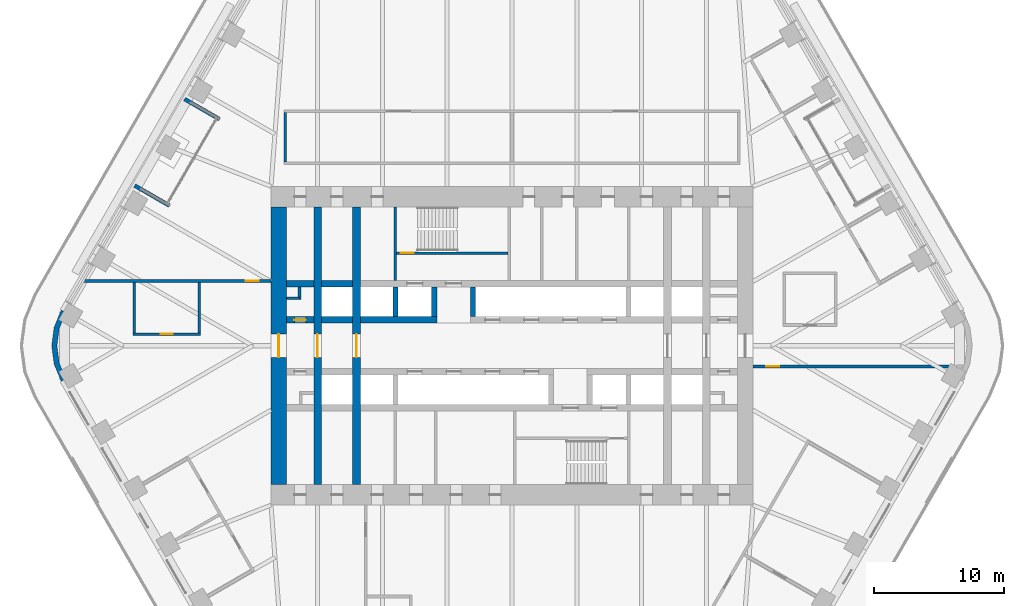
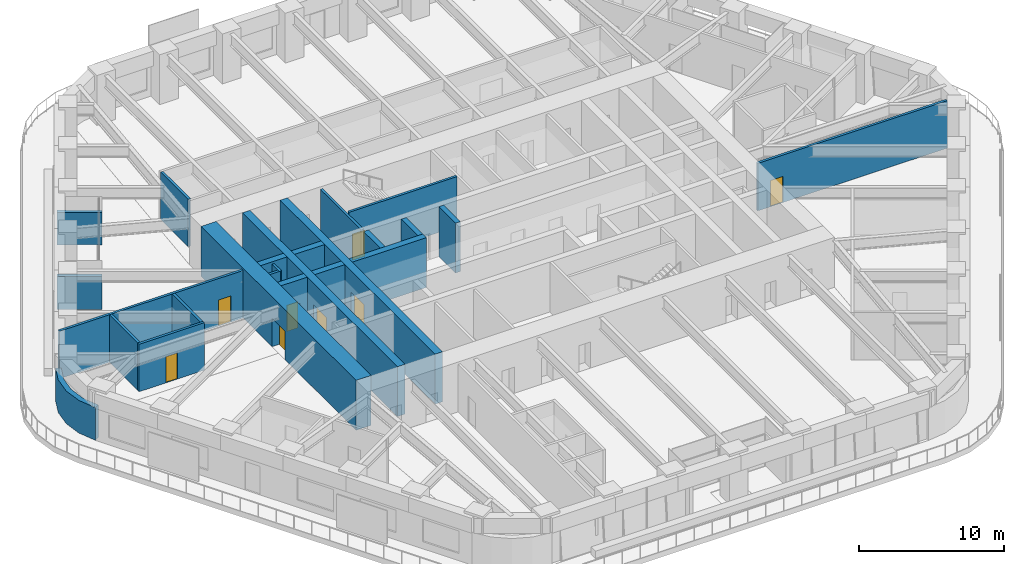
# One storey, part 19 of 24: 24 walls, 8 doors, 8 openings.
"""IFC4 building model written with IfcOpenShell, lengths in metres."""

from ifc_helpers import new_model, si_unit, direction, frame, frame_2d, origin, place, context, subcontext, project, spatial, polyline, rectangle, outline, extrude, material, layer, layer_set, type_object, element, fill, save


model = new_model("IFC4")

# Units and contexts
model_context = context("Model", 3, precision=1e-05, world=origin(), true_north=direction((0.0, 1.0)))
body_context = subcontext(model_context, "Body", "Model", "MODEL_VIEW")
ifc_project = project(units=[si_unit("LENGTHUNIT", "METRE"), si_unit("AREAUNIT", "SQUARE_METRE"), si_unit("VOLUMEUNIT", "CUBIC_METRE"), si_unit("PLANEANGLEUNIT", "RADIAN"), si_unit("MASSUNIT", "GRAM", prefix="KILO")], contexts=[model_context])

# Site, building, storey
site_placement = place(None, origin())
site = spatial("IfcSite", under=ifc_project, at=site_placement, CompositionType="ELEMENT")
building_placement = place(site_placement, origin())
building = spatial("IfcBuilding", under=site, at=building_placement, Name="Tarfa Lantern Tower", CompositionType="ELEMENT")
storey_placement = place(building_placement, frame((0.0, 0.0, 190.89990234375)))
storey = spatial("IfcBuildingStorey", under=building, at=storey_placement, Name="L43", CompositionType="ELEMENT", Elevation=190.89990234375)

# Walls
ifc_material_1 = material(Name="Limestone cladding on blockwork", Category="masonry")
ifc_layer_1 = layer(ifc_material_1, 0.300048828125)
ifc_layer_set_1 = layer_set([ifc_layer_1], Name="EW1 STONE-CLAD WALL 300")
wall_type_1 = type_object("IfcWallType", Name="EW1 STONE-CLAD WALL 300", PredefinedType="SOLIDWALL", material=ifc_layer_set_1)
wall_1_placement = place(storey_placement, frame((-25.266357421875, 19.037353515625, 0.0), z_axis=(0.0, 0.0, 1.0), x_axis=(0.86600983753, -0.500026960575, 0.0)))
element("IfcWall", 1, at=wall_1_placement, inside=storey, type_object=wall_type_1, Name="Loggia return NW 1", PredefinedType="SOLIDWALL", context=body_context, shape_type="SweptSolid", body=[
    extrude(rectangle(XDim=3.099853515625, YDim=0.300048828125, at=frame_2d((1.5498046875, 0.0))), origin(), (0.0, 0.0, 1.0), 2.75),
])
wall_2_placement = place(storey_placement, frame((-29.1201171875, 12.362548828125, 0.0), z_axis=(0.0, 0.0, 1.0), x_axis=(0.86602952684, -0.49999285859, 0.0)))
element("IfcWall", 2, at=wall_2_placement, inside=storey, type_object=wall_type_1, Name="Loggia return NW 2", PredefinedType="SOLIDWALL", context=body_context, shape_type="SweptSolid", body=[
    extrude(rectangle(XDim=3.10009765625, YDim=0.300048828125, at=frame_2d((1.550048828125, 0.0))), origin(), (0.0, 0.0, 1.0), 2.75),
])
ifc_layer_2 = layer(ifc_material_1, 0.39990234375)
ifc_layer_set_2 = layer_set([ifc_layer_2], Name="EW2 CURVED STONE CORNER 400")
wall_type_2 = type_object("IfcWallType", Name="EW2 CURVED STONE CORNER 400", PredefinedType="SOLIDWALL", material=ifc_layer_set_2)
wall_3_placement = place(storey_placement, origin())
element("IfcWall", 3, at=wall_3_placement, inside=storey, type_object=wall_type_2, Name="Stone corner NW-SW", PredefinedType="SOLIDWALL", context=body_context, shape_type="SweptSolid", body=[
    extrude(outline(polyline([(-34.785400390625, 2.75), (-35.334716796875, 1.423583984375), (-35.522216796875, 0.0), (-35.334716796875, -1.423583984375), (-34.785400390625, -2.75), (-34.43896484375, -2.550048828125), (-34.948486328125, -1.320068359375), (-35.122314453125, 0.0), (-34.948486328125, 1.320068359375), (-34.43896484375, 2.550048828125), (-34.785400390625, 2.75)])), origin(), (0.0, 0.0, 1.0), 2.75),
])
ifc_material_2 = material(Name="Concrete blockwork", Category="masonry")
ifc_layer_3 = layer(ifc_material_2, 0.199951171875)
ifc_layer_set_3 = layer_set([ifc_layer_3], Name="IW1 BLOCKWORK PARTITION 200 EI 120")
wall_type_3 = type_object("IfcWallType", Name="IW1 BLOCKWORK PARTITION 200 EI 120", PredefinedType="PARTITIONING", material=ifc_layer_set_3)
wall_4_placement = place(storey_placement, frame((-9.0, 5.050048828125, 0.0), z_axis=(0.0, 0.0, 1.0), x_axis=(0.0, 1.0, 0.0)))
element("IfcWall", 4, at=wall_4_placement, inside=storey, type_object=wall_type_3, Name="Core partition", PredefinedType="PARTITIONING", context=body_context, shape_type="SweptSolid", body=[
    extrude(rectangle(XDim=5.64990234375, YDim=0.199951171875, at=frame_2d((2.824951171875, 0.0))), origin(), (0.0, 0.0, 1.0), 4.0),
])
for number, where, z_axis, x_axis, name in (
    (5, (-17.39990234375, 3.64990234375, 0.0), (0.0, 0.0, 1.0), (1.0, 0.0, 0.0), "Core partition"),
    (6, (-16.39990234375, 3.550048828125, 0.0), (0.0, 0.0, 1.0), (0.0, 1.0, 0.0), "Core partition"),
):
    element("IfcWall", number, at=place(storey_placement, frame(where, z_axis=z_axis, x_axis=x_axis)), inside=storey, type_object=wall_type_3, Name=name, PredefinedType="PARTITIONING", context=body_context, shape_type="SweptSolid", body=[
        extrude(rectangle(XDim=1.0, YDim=0.199951171875, at=frame_2d((0.5, 0.0))), origin(), (0.0, 0.0, 1.0), 4.0),
    ])
ifc_material_3 = material(Name="Gypsum board on steel studs", Category="steel")
ifc_layer_4 = layer(ifc_material_3, 0.2099609375)
ifc_layer_set_4 = layer_set([ifc_layer_4], Name="IW2 ACOUSTIC PARTITION 200")
wall_type_4 = type_object("IfcWallType", Name="IW2 ACOUSTIC PARTITION 200", PredefinedType="PARTITIONING", material=ifc_layer_set_4)
wall_5_placement = place(storey_placement, frame((-17.5, 14.199951171875, 0.0), z_axis=(0.0, 0.0, 1.0), x_axis=(0.0, 1.0, 0.0)))
element("IfcWall", 7, at=wall_5_placement, inside=storey, type_object=wall_type_4, Name="Partition", PredefinedType="PARTITIONING", context=body_context, shape_type="SweptSolid", body=[
    extrude(rectangle(XDim=3.800048828125, YDim=0.199951171875, at=frame_2d((1.89990234375, 0.0))), origin(), (0.0, 0.0, 1.0), 4.0),
])

# Wall, opening, door
wall_6_placement = place(storey_placement, frame((18.60009765625, -1.60009765625, 0.0), z_axis=(0.0, 0.0, 1.0), x_axis=(1.0, 0.0, 0.0)))
wall_6 = element("IfcWall", 8, at=wall_6_placement, inside=storey, type_object=wall_type_4, Name="Partition", PredefinedType="PARTITIONING", context=body_context, shape_type="SweptSolid", body=[
    extrude(rectangle(XDim=15.1171875, YDim=0.199951171875, at=frame_2d((7.55859375, 0.0))), origin(), (0.0, 0.0, 1.0), 4.0),
])
opening_1_placement = place(wall_6_placement, frame((1.01171875, 0.0, 0.0)))
opening_1 = element("IfcOpeningElement", 9, at=opening_1_placement, cuts=wall_6, Name="Opening D47", PredefinedType="OPENING", context=body_context, shape_type="SweptSolid", body=[
    extrude(rectangle(XDim=1.0, YDim=2.199951171875, at=frame_2d((0.5, 1.10009765625))), frame((0.0, 0.10986328125, 0.0), z_axis=(0.0, -1.0, 0.0), x_axis=(1.0, 0.0, 0.0)), (0.0, 0.0, 1.0), 0.219970703125),
])
ifc_material_4 = material(Name="Timber door", Category="wood")
door_type_1 = type_object("IfcDoorType", Name="DR1 ROOM DOOR 1000x2200", OperationType="SINGLE_SWING_LEFT", PredefinedType="DOOR", material=ifc_material_4)
door_1_placement = place(opening_1_placement, frame((1.0, 0.0, 0.0), z_axis=(0.0, 0.0, 1.0), x_axis=(-1.0, 0.0, 0.0)))
door_1 = element("IfcDoor", 10, at=door_1_placement, inside=storey, type_object=door_type_1, Name="Zone door", OperationType="SINGLE_SWING_LEFT", OverallHeight=2.199951171875, OverallWidth=1.0, PredefinedType="DOOR", context=body_context, shape_type="SweptSolid", body=[
    extrude(rectangle(XDim=1.0, YDim=2.199951171875, at=frame_2d((0.5, 1.10009765625))), frame((0.0, 0.02490234375, 0.0), z_axis=(0.0, -1.0, 0.0), x_axis=(1.0, 0.0, 0.0)), (0.0, 0.0, 1.0), 0.050048828125),
])
fill(opening_1, door_1)

wall_7_placement = place(storey_placement, frame((-18.60009765625, 5.0, 0.0), z_axis=(0.0, 0.0, 1.0), x_axis=(-1.0, 0.0, 0.0)))
wall_7 = element("IfcWall", 11, at=wall_7_placement, inside=storey, type_object=wall_type_4, Name="Partition", PredefinedType="PARTITIONING", context=body_context, shape_type="SweptSolid", body=[
    extrude(rectangle(XDim=14.632080078125, YDim=0.199951171875, at=frame_2d((7.31591796875, 0.0))), origin(), (0.0, 0.0, 1.0), 4.0),
])
opening_2_placement = place(wall_7_placement, frame((0.963134765625, 0.0, 0.0)))
opening_2 = element("IfcOpeningElement", 12, at=opening_2_placement, cuts=wall_7, Name="Opening D49", PredefinedType="OPENING", context=body_context, shape_type="SweptSolid", body=[
    extrude(rectangle(XDim=1.0, YDim=2.199951171875, at=frame_2d((0.5, 1.10009765625))), frame((0.0, 0.10986328125, 0.0), z_axis=(0.0, -1.0, 0.0), x_axis=(1.0, 0.0, 0.0)), (0.0, 0.0, 1.0), 0.219970703125),
])
door_2_placement = place(opening_2_placement, origin())
door_2 = element("IfcDoor", 13, at=door_2_placement, inside=storey, type_object=door_type_1, Name="Zone door", OperationType="SINGLE_SWING_RIGHT", OverallHeight=2.199951171875, OverallWidth=1.0, PredefinedType="DOOR", context=body_context, shape_type="SweptSolid", body=[
    extrude(rectangle(XDim=1.0, YDim=2.199951171875, at=frame_2d((0.5, 1.10009765625))), frame((0.0, 0.02490234375, 0.0), z_axis=(0.0, -1.0, 0.0), x_axis=(1.0, 0.0, 0.0)), (0.0, 0.0, 1.0), 0.050048828125),
])
fill(opening_2, door_2)

wall_8_placement = place(storey_placement, frame((-24.047607421875, 0.89990234375, 0.0), z_axis=(0.0, 0.0, 1.0), x_axis=(-1.0, 0.0, 0.0)))
wall_8 = element("IfcWall", 14, at=wall_8_placement, inside=storey, type_object=wall_type_4, Name="Partition", PredefinedType="PARTITIONING", context=body_context, shape_type="SweptSolid", body=[
    extrude(rectangle(XDim=5.2001953125, YDim=0.199951171875, at=frame_2d((2.60009765625, 0.0))), origin(), (0.0, 0.0, 1.0), 4.0),
])
opening_3_placement = place(wall_8_placement, frame((2.14990234375, 0.0, 0.0)))
opening_3 = element("IfcOpeningElement", 15, at=opening_3_placement, cuts=wall_8, Name="Opening D46", PredefinedType="OPENING", context=body_context, shape_type="SweptSolid", body=[
    extrude(rectangle(XDim=0.89990234375, YDim=2.199951171875, at=frame_2d((0.449951171875, 1.10009765625))), frame((0.0, 0.10986328125, 0.0), z_axis=(0.0, -1.0, 0.0), x_axis=(1.0, 0.0, 0.0)), (0.0, 0.0, 1.0), 0.219970703125),
])
door_type_2 = type_object("IfcDoorType", Name="DR3 ROOM DOOR 900x2200", OperationType="SINGLE_SWING_LEFT", PredefinedType="DOOR", material=ifc_material_4)
door_3_placement = place(opening_3_placement, frame((0.89990234375, 0.0, 0.0), z_axis=(0.0, 0.0, 1.0), x_axis=(-1.0, 0.0, 0.0)))
door_3 = element("IfcDoor", 16, at=door_3_placement, inside=storey, type_object=door_type_2, Name="Team room door", OperationType="SINGLE_SWING_RIGHT", OverallHeight=2.199951171875, OverallWidth=0.89990234375, PredefinedType="DOOR", context=body_context, shape_type="SweptSolid", body=[
    extrude(rectangle(XDim=0.89990234375, YDim=2.199951171875, at=frame_2d((0.449951171875, 1.10009765625))), frame((0.0, 0.02490234375, 0.0), z_axis=(0.0, -1.0, 0.0), x_axis=(1.0, 0.0, 0.0)), (0.0, 0.0, 1.0), 0.050048828125),
])
fill(opening_3, door_3)

# Walls
for number, where, z_axis, x_axis, name in (
    (17, (-24.147705078125, 4.89990234375, 0.0), (0.0, 0.0, 1.0), (0.0, -1.0, 0.0), "Partition"),
    (18, (-29.147705078125, 4.89990234375, 0.0), (0.0, 0.0, 1.0), (0.0, -1.0, 0.0), "Partition"),
):
    element("IfcWall", number, at=place(storey_placement, frame(where, z_axis=z_axis, x_axis=x_axis)), inside=storey, type_object=wall_type_4, Name=name, PredefinedType="PARTITIONING", context=body_context, shape_type="SweptSolid", body=[
        extrude(rectangle(XDim=3.89990234375, YDim=0.199951171875, at=frame_2d((1.949951171875, 0.0))), origin(), (0.0, 0.0, 1.0), 4.0),
    ])

# Wall, opening, door
ifc_material_5 = material(Name="Concrete C80/95", Category="concrete")
ifc_layer_5 = layer(ifc_material_5, 1.199951171875)
ifc_layer_set_5 = layer_set([ifc_layer_5], Name="SW1 CORE WALL 1200")
wall_type_5 = type_object("IfcWallType", Name="SW1 CORE WALL 1200", PredefinedType="SHEAR", material=ifc_layer_set_5)
wall_9_placement = place(storey_placement, frame((-18.0, 10.699951171875, 0.0), z_axis=(0.0, 0.0, 1.0), x_axis=(0.0, -1.0, 0.0)))
wall_9 = element("IfcWall", 19, at=wall_9_placement, inside=storey, type_object=wall_type_5, Name="Core wall W", PredefinedType="SHEAR", context=body_context, shape_type="SweptSolid", body=[
    extrude(rectangle(XDim=21.39990234375, YDim=1.199951171875, at=frame_2d((10.699951171875, 0.0))), origin(), (0.0, 0.0, 1.0), 4.2001953125),
])
opening_4_placement = place(wall_9_placement, frame((9.800048828125, 0.0, 0.0)))
opening_4 = element("IfcOpeningElement", 20, at=opening_4_placement, cuts=wall_9, Name="Opening D16", PredefinedType="OPENING", context=body_context, shape_type="SweptSolid", body=[
    extrude(rectangle(XDim=1.800048828125, YDim=2.39990234375, at=frame_2d((0.89990234375, 1.199951171875))), frame((0.0, 0.60986328125, 0.0), z_axis=(0.0, -1.0, 0.0), x_axis=(1.0, 0.0, 0.0)), (0.0, 0.0, 1.0), 1.219970703125),
])
ifc_material_6 = material(Name="Steel fire door", Category="steel")
door_type_3 = type_object("IfcDoorType", Name="DL1 LOBBY DOOR 1800x2400", OperationType="DOUBLE_DOOR_SINGLE_SWING", PredefinedType="DOOR", material=ifc_material_6)
door_4_placement = place(opening_4_placement, frame((1.800048828125, 0.0, 0.0), z_axis=(0.0, 0.0, 1.0), x_axis=(-1.0, 0.0, 0.0)))
door_4 = element("IfcDoor", 21, at=door_4_placement, inside=storey, type_object=door_type_3, Name="Lift lobby door", OperationType="DOUBLE_DOOR_SINGLE_SWING", OverallHeight=2.39990234375, OverallWidth=1.800048828125, PredefinedType="DOOR", context=body_context, shape_type="SweptSolid", body=[
    extrude(rectangle(XDim=1.800048828125, YDim=2.39990234375, at=frame_2d((0.89990234375, 1.199951171875))), frame((0.0, 0.02490234375, 0.0), z_axis=(0.0, -1.0, 0.0), x_axis=(1.0, 0.0, 0.0)), (0.0, 0.0, 1.0), 0.050048828125),
])
fill(opening_4, door_4)

ifc_layer_6 = layer(ifc_material_5, 0.199951171875)
ifc_layer_set_6 = layer_set([ifc_layer_6], Name="SW12 CORE WALL 200")
wall_type_6 = type_object("IfcWallType", Name="SW12 CORE WALL 200", PredefinedType="SHEAR", material=ifc_layer_set_6)
wall_10_placement = place(storey_placement, frame((-8.89990234375, 7.14990234375, 0.0), z_axis=(0.0, 0.0, 1.0), x_axis=(1.0, 0.0, 0.0)))
wall_10 = element("IfcWall", 22, at=wall_10_placement, inside=storey, type_object=wall_type_6, Name="Core wall stair partition N", PredefinedType="SHEAR", context=body_context, shape_type="SweptSolid", body=[
    extrude(rectangle(XDim=8.599853515625, YDim=0.199951171875, at=frame_2d((4.2998046875, 0.0))), origin(), (0.0, 0.0, 1.0), 4.2001953125),
])
opening_5_placement = place(wall_10_placement, frame((0.300048828125, 0.0, 0.0)))
opening_5 = element("IfcOpeningElement", 23, at=opening_5_placement, cuts=wall_10, Name="Opening D27", PredefinedType="OPENING", context=body_context, shape_type="SweptSolid", body=[
    extrude(rectangle(XDim=1.0, YDim=2.199951171875, at=frame_2d((0.5, 1.10009765625))), frame((0.0, 0.10986328125, 0.0), z_axis=(0.0, -1.0, 0.0), x_axis=(1.0, 0.0, 0.0)), (0.0, 0.0, 1.0), 0.219970703125),
])
door_type_4 = type_object("IfcDoorType", Name="DF2 STAIR DOOR 1000x2200", OperationType="SINGLE_SWING_LEFT", PredefinedType="DOOR", material=ifc_material_6)
door_5_placement = place(opening_5_placement, origin())
door_5 = element("IfcDoor", 24, at=door_5_placement, inside=storey, type_object=door_type_4, Name="Stair door", OperationType="SINGLE_SWING_RIGHT", OverallHeight=2.199951171875, OverallWidth=1.0, PredefinedType="DOOR", context=body_context, shape_type="SweptSolid", body=[
    extrude(rectangle(XDim=1.0, YDim=2.199951171875, at=frame_2d((0.5, 1.10009765625))), frame((0.0, 0.02490234375, 0.0), z_axis=(0.0, -1.0, 0.0), x_axis=(1.0, 0.0, 0.0)), (0.0, 0.0, 1.0), 0.050048828125),
])
fill(opening_5, door_5)

ifc_layer_7 = layer(ifc_material_5, 0.5)
ifc_layer_set_7 = layer_set([ifc_layer_7], Name="SW5 CORE WALL 500")
wall_type_7 = type_object("IfcWallType", Name="SW5 CORE WALL 500", PredefinedType="SHEAR", material=ifc_layer_set_7)
wall_11_placement = place(storey_placement, frame((-17.39990234375, 2.0, 0.0), z_axis=(0.0, 0.0, 1.0), x_axis=(1.0, 0.0, 0.0)))
wall_11 = element("IfcWall", 25, at=wall_11_placement, inside=storey, type_object=wall_type_7, Name="Core wall lobby west N", PredefinedType="SHEAR", context=body_context, shape_type="SweptSolid", body=[
    extrude(rectangle(XDim=2.099853515625, YDim=0.5, at=frame_2d((1.0498046875, 0.0))), origin(), (0.0, 0.0, 1.0), 4.2001953125),
])
opening_6_placement = place(wall_11_placement, frame((0.60009765625, 0.0, 0.0)))
opening_6 = element("IfcOpeningElement", 26, at=opening_6_placement, cuts=wall_11, Name="Opening D19", PredefinedType="OPENING", context=body_context, shape_type="SweptSolid", body=[
    extrude(rectangle(XDim=0.89990234375, YDim=2.199951171875, at=frame_2d((0.449951171875, 1.10009765625))), frame((0.0, 0.260009765625, 0.0), z_axis=(0.0, -1.0, 0.0), x_axis=(1.0, 0.0, 0.0)), (0.0, 0.0, 1.0), 0.52001953125),
])
door_type_5 = type_object("IfcDoorType", Name="DF6 SERVICE ROOM DOOR 900x2200", OperationType="SINGLE_SWING_LEFT", PredefinedType="DOOR", material=ifc_material_6)
door_6_placement = place(opening_6_placement, origin())
door_6 = element("IfcDoor", 27, at=door_6_placement, inside=storey, type_object=door_type_5, Name="Service room door", OperationType="SINGLE_SWING_LEFT", OverallHeight=2.199951171875, OverallWidth=0.89990234375, PredefinedType="DOOR", context=body_context, shape_type="SweptSolid", body=[
    extrude(rectangle(XDim=0.89990234375, YDim=2.199951171875, at=frame_2d((0.449951171875, 1.10009765625))), frame((0.0, 0.02490234375, 0.0), z_axis=(0.0, -1.0, 0.0), x_axis=(1.0, 0.0, 0.0)), (0.0, 0.0, 1.0), 0.050048828125),
])
fill(opening_6, door_6)

# Walls
wall_12_placement = place(storey_placement, frame((-14.699951171875, 2.0, 0.0), z_axis=(0.0, 0.0, 1.0), x_axis=(1.0, 0.0, 0.0)))
element("IfcWall", 28, at=wall_12_placement, inside=storey, type_object=wall_type_7, Name="Core wall lobby west N", PredefinedType="SHEAR", context=body_context, shape_type="SweptSolid", body=[
    extrude(rectangle(XDim=2.39990234375, YDim=0.5, at=frame_2d((1.199951171875, 0.0))), origin(), (0.0, 0.0, 1.0), 4.2001953125),
])
wall_13_placement = place(storey_placement, frame((-11.699951171875, 2.0, 0.0), z_axis=(0.0, 0.0, 1.0), x_axis=(1.0, 0.0, 0.0)))
element("IfcWall", 29, at=wall_13_placement, inside=storey, type_object=wall_type_7, Name="Core wall lobby west N", PredefinedType="SHEAR", context=body_context, shape_type="SweptSolid", body=[
    extrude(rectangle(XDim=5.89990234375, YDim=0.5, at=frame_2d((2.949951171875, 0.0))), origin(), (0.0, 0.0, 1.0), 4.2001953125),
])
wall_14_placement = place(storey_placement, frame((-17.39990234375, 4.800048828125, 0.0), z_axis=(0.0, 0.0, 1.0), x_axis=(1.0, 0.0, 0.0)))
element("IfcWall", 30, at=wall_14_placement, inside=storey, type_object=wall_type_7, Name="Core wall rear N", PredefinedType="SHEAR", context=body_context, shape_type="SweptSolid", body=[
    extrude(rectangle(XDim=2.099853515625, YDim=0.5, at=frame_2d((1.0498046875, 0.0))), origin(), (0.0, 0.0, 1.0), 4.2001953125),
])
wall_15_placement = place(storey_placement, frame((-14.699951171875, 4.800048828125, 0.0), z_axis=(0.0, 0.0, 1.0), x_axis=(1.0, 0.0, 0.0)))
element("IfcWall", 31, at=wall_15_placement, inside=storey, type_object=wall_type_7, Name="Core wall rear N", PredefinedType="SHEAR", context=body_context, shape_type="SweptSolid", body=[
    extrude(rectangle(XDim=2.39990234375, YDim=0.5, at=frame_2d((1.199951171875, 0.0))), origin(), (0.0, 0.0, 1.0), 4.2001953125),
])
ifc_layer_8 = layer(ifc_material_5, 0.39990234375)
ifc_layer_set_8 = layer_set([ifc_layer_8], Name="SW6 CORE WALL 400")
wall_type_8 = type_object("IfcWallType", Name="SW6 CORE WALL 400", PredefinedType="SHEAR", material=ifc_layer_set_8)
for number, where, z_axis, x_axis, name in (
    (32, (-9.0, 2.25, 0.0), (0.0, 0.0, 1.0), (0.0, 1.0, 0.0), "Core wall divider N"),
    (33, (-6.0, 2.25, 0.0), (0.0, 0.0, 1.0), (0.0, 1.0, 0.0), "Core wall divider N"),
    (34, (-3.0, 2.25, 0.0), (0.0, 0.0, 1.0), (0.0, 1.0, 0.0), "Core wall divider N"),
):
    element("IfcWall", number, at=place(storey_placement, frame(where, z_axis=z_axis, x_axis=x_axis)), inside=storey, type_object=wall_type_8, Name=name, PredefinedType="SHEAR", context=body_context, shape_type="SweptSolid", body=[
        extrude(rectangle(XDim=2.300048828125, YDim=0.39990234375, at=frame_2d((1.14990234375, 0.0))), origin(), (0.0, 0.0, 1.0), 4.2001953125),
    ])

# Wall, opening, door
ifc_layer_9 = layer(ifc_material_5, 0.60009765625)
ifc_layer_set_9 = layer_set([ifc_layer_9], Name="SW9 CORE WALL 600")
wall_type_9 = type_object("IfcWallType", Name="SW9 CORE WALL 600", PredefinedType="SHEAR", material=ifc_layer_set_9)
wall_16_placement = place(storey_placement, frame((-12.0, -10.699951171875, 0.0), z_axis=(0.0, 0.0, 1.0), x_axis=(0.0, 1.0, 0.0)))
wall_16 = element("IfcWall", 35, at=wall_16_placement, inside=storey, type_object=wall_type_9, Name="Core wall cross 12 m west", PredefinedType="SHEAR", context=body_context, shape_type="SweptSolid", body=[
    extrude(rectangle(XDim=21.39990234375, YDim=0.60009765625, at=frame_2d((10.699951171875, 0.0))), origin(), (0.0, 0.0, 1.0), 4.2001953125),
])
opening_7_placement = place(wall_16_placement, frame((9.800048828125, 0.0, 0.0)))
opening_7 = element("IfcOpeningElement", 36, at=opening_7_placement, cuts=wall_16, Name="Opening D31", PredefinedType="OPENING", context=body_context, shape_type="SweptSolid", body=[
    extrude(rectangle(XDim=1.800048828125, YDim=2.39990234375, at=frame_2d((0.89990234375, 1.199951171875))), frame((0.0, 0.31005859375, 0.0), z_axis=(0.0, -1.0, 0.0), x_axis=(1.0, 0.0, 0.0)), (0.0, 0.0, 1.0), 0.6201171875),
])
door_7_placement = place(opening_7_placement, origin())
door_7 = element("IfcDoor", 37, at=door_7_placement, inside=storey, type_object=door_type_3, Name="Lift lobby door", OperationType="DOUBLE_DOOR_SINGLE_SWING", OverallHeight=2.39990234375, OverallWidth=1.800048828125, PredefinedType="DOOR", context=body_context, shape_type="SweptSolid", body=[
    extrude(rectangle(XDim=1.800048828125, YDim=2.39990234375, at=frame_2d((0.89990234375, 1.199951171875))), frame((0.0, 0.02490234375, 0.0), z_axis=(0.0, -1.0, 0.0), x_axis=(1.0, 0.0, 0.0)), (0.0, 0.0, 1.0), 0.050048828125),
])
fill(opening_7, door_7)

wall_17_placement = place(storey_placement, frame((-15.0, -10.699951171875, 0.0), z_axis=(0.0, 0.0, 1.0), x_axis=(0.0, 1.0, 0.0)))
wall_17 = element("IfcWall", 38, at=wall_17_placement, inside=storey, type_object=wall_type_9, Name="Core wall cross 15 m west", PredefinedType="SHEAR", context=body_context, shape_type="SweptSolid", body=[
    extrude(rectangle(XDim=21.39990234375, YDim=0.60009765625, at=frame_2d((10.699951171875, 0.0))), origin(), (0.0, 0.0, 1.0), 4.2001953125),
])
opening_8_placement = place(wall_17_placement, frame((9.800048828125, 0.0, 0.0)))
opening_8 = element("IfcOpeningElement", 39, at=opening_8_placement, cuts=wall_17, Name="Opening D32", PredefinedType="OPENING", context=body_context, shape_type="SweptSolid", body=[
    extrude(rectangle(XDim=1.800048828125, YDim=2.39990234375, at=frame_2d((0.89990234375, 1.199951171875))), frame((0.0, 0.31005859375, 0.0), z_axis=(0.0, -1.0, 0.0), x_axis=(1.0, 0.0, 0.0)), (0.0, 0.0, 1.0), 0.6201171875),
])
door_8_placement = place(opening_8_placement, origin())
door_8 = element("IfcDoor", 40, at=door_8_placement, inside=storey, type_object=door_type_3, Name="Lift lobby door", OperationType="DOUBLE_DOOR_SINGLE_SWING", OverallHeight=2.39990234375, OverallWidth=1.800048828125, PredefinedType="DOOR", context=body_context, shape_type="SweptSolid", body=[
    extrude(rectangle(XDim=1.800048828125, YDim=2.39990234375, at=frame_2d((0.89990234375, 1.199951171875))), frame((0.0, 0.02490234375, 0.0), z_axis=(0.0, -1.0, 0.0), x_axis=(1.0, 0.0, 0.0)), (0.0, 0.0, 1.0), 0.050048828125),
])
fill(opening_8, door_8)

save(model, "model.ifc")
